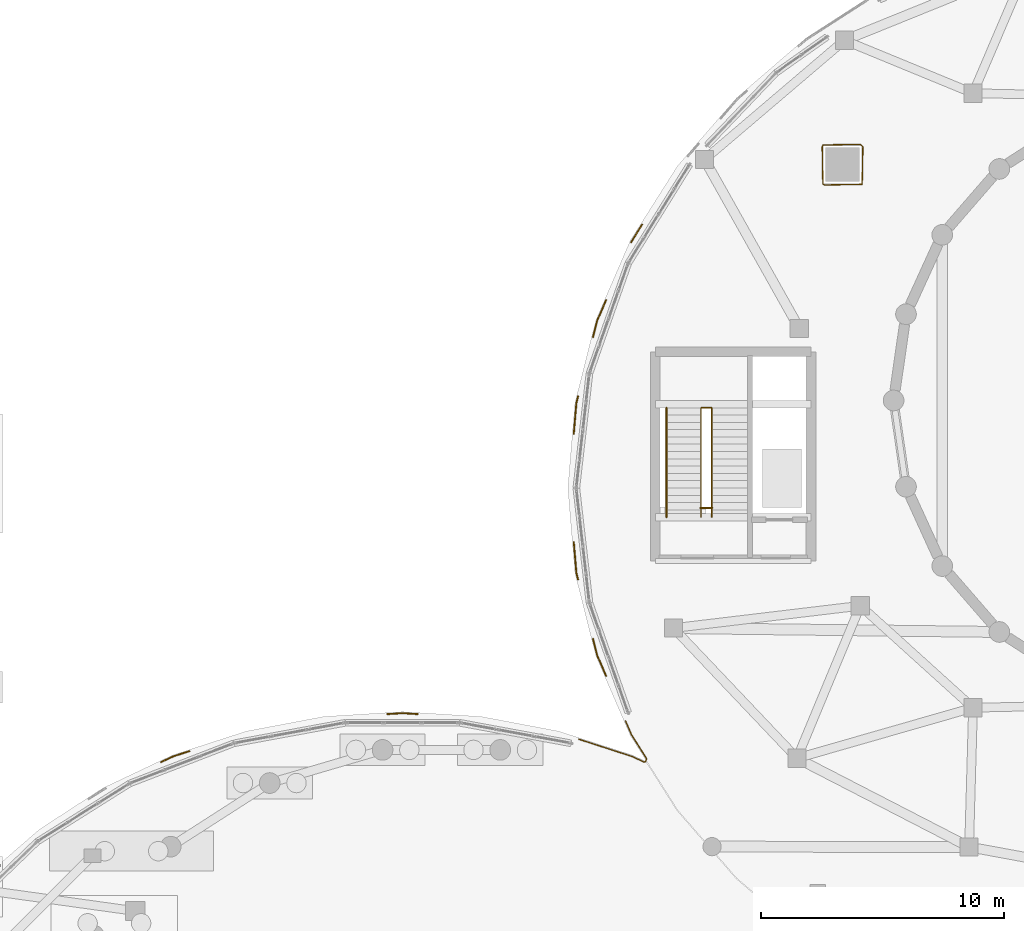
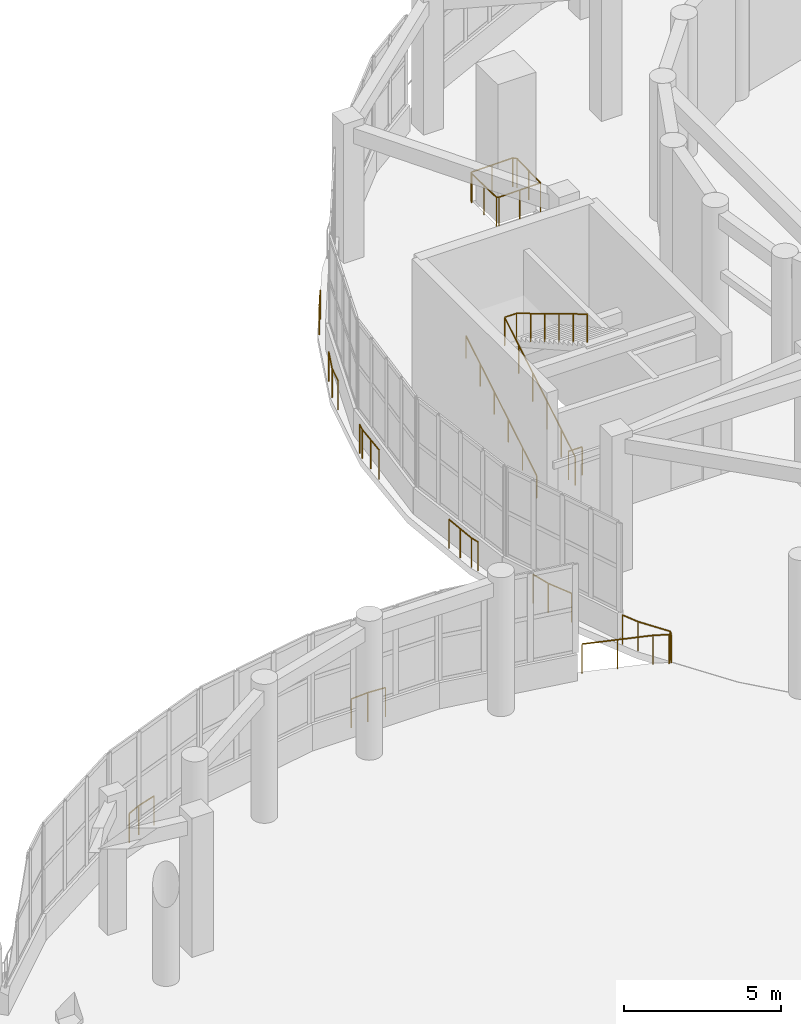
# One storey, part 89 of 96: 13 railings.
"""IFC4 building model written with IfcOpenShell, lengths in metres."""

from ifc_helpers import new_model, si_unit, direction, frame, origin, origin_2d, place, context, subcontext, project, spatial, circle, extrude, material, type_object, element, save


model = new_model("IFC4")

# Units and contexts
model_context = context("Model", 3, precision=1e-05, world=origin(), true_north=direction((0.0, 1.0)))
body_context = subcontext(model_context, "Body", "Model", "MODEL_VIEW")
ifc_project = project(units=[si_unit("LENGTHUNIT", "METRE"), si_unit("AREAUNIT", "SQUARE_METRE"), si_unit("VOLUMEUNIT", "CUBIC_METRE"), si_unit("PLANEANGLEUNIT", "RADIAN"), si_unit("MASSUNIT", "GRAM", prefix="KILO")], contexts=[model_context])

# Site, building, storey
site_placement = place(None, origin())
site = spatial("IfcSite", under=ifc_project, at=site_placement, CompositionType="ELEMENT")
building_placement = place(site_placement, origin())
building = spatial("IfcBuilding", under=site, at=building_placement, Name="Pelvatis Terrace Science Centre", CompositionType="ELEMENT")
storey_placement = place(building_placement, origin())
storey = spatial("IfcBuildingStorey", under=building, at=storey_placement, Name="L00", CompositionType="ELEMENT", Elevation=0.0)

# Railings
ifc_material_1 = material(Name="Bronze-anodised aluminium and laminated safety glass balustrade", Category="aluminium")
railing_type_1 = type_object("IfcRailingType", Name="RLG-BAL-1150", PredefinedType="BALUSTRADE", material=ifc_material_1)
railing_1_placement = place(storey_placement, frame((66.469970703125, 70.927001953125, 0.0)))
element("IfcRailing", 1, at=railing_1_placement, inside=storey, type_object=railing_type_1, Name="Perimeter edge balustrade RLG-EDG-L00-018", PredefinedType="BALUSTRADE", context=body_context, shape_type="SweptSolid", body=[
    extrude(circle(Radius=0.02392578125, at=origin_2d()), frame((0.0, 0.0, 1.1259765625), z_axis=(0.903681759755, 0.428204713993, 0.0), x_axis=(-0.428204713993, 0.903681759755, 0.0)), (0.0, 0.0, 1.0), 0.531982421875),
    extrude(circle(Radius=0.02392578125, at=origin_2d()), frame((0.480712890625, 0.227783203125, 1.1259765625), z_axis=(0.951348541055, 0.308116785379, 0.0), x_axis=(-0.308116785379, 0.951348541055, 0.0)), (0.0, 0.0, 1.0), 0.723388671875),
    extrude(circle(Radius=0.02099609375, at=origin_2d()), origin(), (0.0, 0.0, 1.0), 1.101806640625),
    extrude(circle(Radius=0.02099609375, at=origin_2d()), frame((0.480712890625, 0.227783203125, 0.0)), (0.0, 0.0, 1.0), 1.101806640625),
    extrude(circle(Radius=0.02099609375, at=origin_2d()), frame((1.1689453125, 0.45068359375, 0.0)), (0.0, 0.0, 1.0), 1.101806640625),
])
railing_2_placement = place(storey_placement, frame((75.773681640625, 72.90087890625, 0.0)))
element("IfcRailing", 2, at=railing_2_placement, inside=storey, type_object=railing_type_1, Name="Perimeter edge balustrade RLG-EDG-L00-019", PredefinedType="BALUSTRADE", context=body_context, shape_type="SweptSolid", body=[
    extrude(circle(Radius=0.02392578125, at=origin_2d()), frame((0.0, 0.0, 1.1259765625), z_axis=(0.998060141314, 0.062257162811, 0.0), x_axis=(-0.062257162811, 0.998060141314, 0.0)), (0.0, 0.0, 1.0), 0.62744140625),
    extrude(circle(Radius=0.02392578125, at=origin_2d()), frame((0.626220703125, 0.0390625, 1.1259765625), z_axis=(0.998060141314, -0.062257162811, 0.0), x_axis=(0.062257162811, 0.998060141314, 0.0)), (0.0, 0.0, 1.0), 0.62744140625),
    extrude(circle(Radius=0.02099609375, at=origin_2d()), origin(), (0.0, 0.0, 1.0), 1.101806640625),
    extrude(circle(Radius=0.02099609375, at=origin_2d()), frame((0.626220703125, 0.0390625, 0.0)), (0.0, 0.0, 1.0), 1.101806640625),
    extrude(circle(Radius=0.02099609375, at=origin_2d()), frame((1.25244140625, 0.0, 0.0)), (0.0, 0.0, 1.0), 1.101806640625),
])
railing_3_placement = place(storey_placement, frame((83.652587890625, 71.866455078125, 0.0)))
element("IfcRailing", 3, at=railing_3_placement, inside=storey, type_object=railing_type_1, Name="Perimeter edge balustrade RLG-EDG-L00-020", PredefinedType="BALUSTRADE", context=body_context, shape_type="SweptSolid", body=[
    extrude(circle(Radius=0.02392578125, at=origin_2d()), frame((0.0, 0.0, 1.1259765625), z_axis=(0.951324231101, -0.308191835259, 0.0), x_axis=(0.308191835259, 0.951324231101, 0.0)), (0.0, 0.0, 1.0), 2.30908203125),
    extrude(circle(Radius=0.02392578125, at=origin_2d()), frame((2.19677734375, -0.711669921875, 1.1259765625), z_axis=(0.904304352259, -0.426888320858, 0.0), x_axis=(0.426888320858, 0.904304352259, 0.0)), (0.0, 0.0, 1.0), 0.51708984375),
    extrude(circle(Radius=0.02392578125, at=origin_2d()), frame((2.664306640625, -0.932373046875, 1.1259765625), z_axis=(0.99661090751, 0.082259947921, 0.0), x_axis=(-0.082259947921, 0.99661090751, 0.0)), (0.0, 0.0, 1.0), 0.0771484375),
    extrude(circle(Radius=0.02392578125, at=origin_2d()), frame((2.7412109375, -0.926025390625, 1.1259765625), z_axis=(0.323105286316, 0.946363024402, 0.0), x_axis=(-0.946363024402, 0.323105286316, 0.0)), (0.0, 0.0, 1.0), 0.13818359375),
    extrude(circle(Radius=0.02392578125, at=origin_2d()), frame((2.785888671875, -0.795166015625, 1.1259765625), z_axis=(-0.53434982401, 0.845263429696, 0.0), x_axis=(-0.845263429696, -0.53434982401, 0.0)), (0.0, 0.0, 1.0), 1.158203125),
    extrude(circle(Radius=0.02392578125, at=origin_2d()), frame((2.1669921875, 0.183837890625, 1.1259765625), z_axis=(-0.396534170219, 0.918019962664, 0.0), x_axis=(-0.918019962664, -0.396534170219, 0.0)), (0.0, 0.0, 1.0), 0.619384765625),
    extrude(circle(Radius=0.02099609375, at=origin_2d()), origin(), (0.0, 0.0, 1.0), 1.101806640625),
    extrude(circle(Radius=0.02099609375, at=origin_2d()), frame((1.098388671875, -0.35595703125, 0.0)), (0.0, 0.0, 1.0), 1.101806640625),
    extrude(circle(Radius=0.02099609375, at=origin_2d()), frame((2.19677734375, -0.711669921875, 0.0)), (0.0, 0.0, 1.0), 1.101806640625),
    extrude(circle(Radius=0.02099609375, at=origin_2d()), frame((2.664306640625, -0.932373046875, 0.0)), (0.0, 0.0, 1.0), 1.101806640625),
    extrude(circle(Radius=0.02099609375, at=origin_2d()), frame((2.7412109375, -0.926025390625, 0.0)), (0.0, 0.0, 1.0), 1.101806640625),
    extrude(circle(Radius=0.02099609375, at=origin_2d()), frame((2.785888671875, -0.795166015625, 0.0)), (0.0, 0.0, 1.0), 1.101806640625),
    extrude(circle(Radius=0.02099609375, at=origin_2d()), frame((2.1669921875, 0.183837890625, 0.0)), (0.0, 0.0, 1.0), 1.101806640625),
    extrude(circle(Radius=0.02099609375, at=origin_2d()), frame((1.92138671875, 0.75244140625, 0.0)), (0.0, 0.0, 1.0), 1.101806640625),
])
railing_4_placement = place(storey_placement, frame((84.773193359375, 74.470947265625, 0.0)))
element("IfcRailing", 4, at=railing_4_placement, inside=storey, type_object=railing_type_1, Name="Perimeter edge balustrade RLG-EDG-L00-021", PredefinedType="BALUSTRADE", context=body_context, shape_type="SweptSolid", body=[
    extrude(circle(Radius=0.02392578125, at=origin_2d()), frame((0.0, 0.0, 1.1259765625), z_axis=(-0.396826705652, 0.917893548121, 0.0), x_axis=(-0.917893548121, -0.396826705652, 0.0)), (0.0, 0.0, 1.0), 0.921630859375),
    extrude(circle(Radius=0.02392578125, at=origin_2d()), frame((-0.36572265625, 0.845947265625, 1.1259765625), z_axis=(-0.244430290099, 0.969666867167, 0.0), x_axis=(-0.969666867167, -0.244430290099, 0.0)), (0.0, 0.0, 1.0), 0.697265625),
    extrude(circle(Radius=0.02099609375, at=origin_2d()), origin(), (0.0, 0.0, 1.0), 1.101806640625),
    extrude(circle(Radius=0.02099609375, at=origin_2d()), frame((-0.36572265625, 0.845947265625, 0.0)), (0.0, 0.0, 1.0), 1.101806640625),
    extrude(circle(Radius=0.02099609375, at=origin_2d()), frame((-0.5361328125, 1.52197265625, 0.0)), (0.0, 0.0, 1.0), 1.101806640625),
])
railing_5_placement = place(storey_placement, frame((83.62060546875, 78.43701171875, 0.0)))
element("IfcRailing", 5, at=railing_5_placement, inside=storey, type_object=railing_type_1, Name="Perimeter edge balustrade RLG-EDG-L00-022", PredefinedType="BALUSTRADE", context=body_context, shape_type="SweptSolid", body=[
    extrude(circle(Radius=0.02392578125, at=origin_2d()), frame((0.0, 0.0, 1.1259765625), z_axis=(-0.244092834043, 0.969751869485, 0.0), x_axis=(-0.969751869485, -0.244092834043, 0.0)), (0.0, 0.0, 1.0), 0.295166015625),
    extrude(circle(Radius=0.02392578125, at=origin_2d()), frame((-0.072021484375, 0.2861328125, 1.1259765625), z_axis=(-0.082740073062, 0.996571161689, 0.0), x_axis=(-0.996571161689, -0.082740073062, 0.0)), (0.0, 0.0, 1.0), 1.257080078125),
    extrude(circle(Radius=0.02099609375, at=origin_2d()), origin(), (0.0, 0.0, 1.0), 1.101806640625),
    extrude(circle(Radius=0.02099609375, at=origin_2d()), frame((-0.072021484375, 0.2861328125, 0.0)), (0.0, 0.0, 1.0), 1.101806640625),
    extrude(circle(Radius=0.02099609375, at=origin_2d()), frame((-0.1240234375, 0.91259765625, 0.0)), (0.0, 0.0, 1.0), 1.101806640625),
    extrude(circle(Radius=0.02099609375, at=origin_2d()), frame((-0.176025390625, 1.538818359375, 0.0)), (0.0, 0.0, 1.0), 1.101806640625),
])
railing_6_placement = place(storey_placement, frame((83.444580078125, 84.42431640625, 0.0)))
element("IfcRailing", 6, at=railing_6_placement, inside=storey, type_object=railing_type_1, Name="Perimeter edge balustrade RLG-EDG-L00-023", PredefinedType="BALUSTRADE", context=body_context, shape_type="SweptSolid", body=[
    extrude(circle(Radius=0.02392578125, at=origin_2d()), frame((0.0, 0.0, 1.1259765625), z_axis=(0.082756091283, 0.99656983165, 0.0), x_axis=(-0.99656983165, 0.082756091283, 0.0)), (0.0, 0.0, 1.0), 1.2568359375),
    extrude(circle(Radius=0.02392578125, at=origin_2d()), frame((0.10400390625, 1.25244140625, 1.1259765625), z_axis=(0.243897124794, 0.969801109773, 0.0), x_axis=(-0.969801109773, 0.243897124794, 0.0)), (0.0, 0.0, 1.0), 0.29541015625),
    extrude(circle(Radius=0.02099609375, at=origin_2d()), origin(), (0.0, 0.0, 1.0), 1.101806640625),
    extrude(circle(Radius=0.02099609375, at=origin_2d()), frame((0.052001953125, 0.626220703125, 0.0)), (0.0, 0.0, 1.0), 1.101806640625),
    extrude(circle(Radius=0.02099609375, at=origin_2d()), frame((0.10400390625, 1.25244140625, 0.0)), (0.0, 0.0, 1.0), 1.101806640625),
    extrude(circle(Radius=0.02099609375, at=origin_2d()), frame((0.176025390625, 1.538818359375, 0.0)), (0.0, 0.0, 1.0), 1.101806640625),
])
railing_7_placement = place(storey_placement, frame((84.237060546875, 88.4072265625, 0.0)))
element("IfcRailing", 7, at=railing_7_placement, inside=storey, type_object=railing_type_1, Name="Perimeter edge balustrade RLG-EDG-L00-024", PredefinedType="BALUSTRADE", context=body_context, shape_type="SweptSolid", body=[
    extrude(circle(Radius=0.02392578125, at=origin_2d()), frame((0.0, 0.0, 1.1259765625), z_axis=(0.244513317221, 0.969645934195, 0.0), x_axis=(-0.969645934195, 0.244513317221, 0.0)), (0.0, 0.0, 1.0), 0.697021484375),
    extrude(circle(Radius=0.02392578125, at=origin_2d()), frame((0.17041015625, 0.67578125, 1.1259765625), z_axis=(0.396826705652, 0.917893548121, 0.0), x_axis=(-0.917893548121, 0.396826705652, 0.0)), (0.0, 0.0, 1.0), 0.921630859375),
    extrude(circle(Radius=0.02099609375, at=origin_2d()), origin(), (0.0, 0.0, 1.0), 1.101806640625),
    extrude(circle(Radius=0.02099609375, at=origin_2d()), frame((0.17041015625, 0.67578125, 0.0)), (0.0, 0.0, 1.0), 1.101806640625),
    extrude(circle(Radius=0.02099609375, at=origin_2d()), frame((0.5361328125, 1.521728515625, 0.0)), (0.0, 0.0, 1.0), 1.101806640625),
])
railing_8_placement = place(storey_placement, frame((85.80078125, 92.3056640625, 0.0)))
element("IfcRailing", 8, at=railing_8_placement, inside=storey, type_object=railing_type_1, Name="Perimeter edge balustrade RLG-EDG-L00-025", PredefinedType="BALUSTRADE", context=body_context, shape_type="SweptSolid", body=[
    extrude(circle(Radius=0.02392578125, at=origin_2d()), frame((0.0, 0.0, 1.1259765625), z_axis=(0.527511829961, 0.849547685096, 0.0), x_axis=(-0.849547685096, 0.527511829961, 0.0)), (0.0, 0.0, 1.0), 0.856689453125),
    extrude(circle(Radius=0.02099609375, at=origin_2d()), origin(), (0.0, 0.0, 1.0), 1.101806640625),
    extrude(circle(Radius=0.02099609375, at=origin_2d()), frame((0.451904296875, 0.727783203125, 0.0)), (0.0, 0.0, 1.0), 1.101806640625),
])
railing_9_placement = place(storey_placement, frame((95.3349609375, 96.235107421875, 0.0)))
element("IfcRailing", 9, at=railing_9_placement, inside=storey, type_object=railing_type_1, Name="Perimeter edge balustrade RLG-EDG-L00-082", PredefinedType="BALUSTRADE", context=body_context, shape_type="SweptSolid", body=[
    extrude(circle(Radius=0.02392578125, at=origin_2d()), frame((0.0, 0.0, 1.1259765625), z_axis=(-0.69740361411, 0.716678588369, 0.0), x_axis=(-0.716678588369, -0.69740361411, 0.0)), (0.0, 0.0, 1.0), 0.139404296875),
    extrude(circle(Radius=0.02392578125, at=origin_2d()), frame((-0.09716796875, 0.099853515625, 1.1259765625), z_axis=(-0.999842712423, -0.017735569178, 0.0), x_axis=(0.017735569178, -0.999842712423, 0.0)), (0.0, 0.0, 1.0), 1.541748046875),
    extrude(circle(Radius=0.02392578125, at=origin_2d()), frame((-1.638671875, 0.072509765625, 1.1259765625), z_axis=(-0.395784388511, -0.918343463967, 0.0), x_axis=(0.918343463967, -0.395784388511, 0.0)), (0.0, 0.0, 1.0), 0.078857421875),
    extrude(circle(Radius=0.02392578125, at=origin_2d()), frame((-1.669921875, 0.0, 1.1259765625), z_axis=(0.017766511544, -0.999842163078, 0.0), x_axis=(0.999842163078, 0.017766511544, 0.0)), (0.0, 0.0, 1.0), 1.5390625),
    extrude(circle(Radius=0.02099609375, at=origin_2d()), origin(), (0.0, 0.0, 1.0), 1.101806640625),
    extrude(circle(Radius=0.02099609375, at=origin_2d()), frame((-0.09716796875, 0.099853515625, 0.0)), (0.0, 0.0, 1.0), 1.101806640625),
    extrude(circle(Radius=0.02099609375, at=origin_2d()), frame((-0.867919921875, 0.086181640625, 0.0)), (0.0, 0.0, 1.0), 1.101806640625),
    extrude(circle(Radius=0.02099609375, at=origin_2d()), frame((-1.638671875, 0.072509765625, 0.0)), (0.0, 0.0, 1.0), 1.101806640625),
    extrude(circle(Radius=0.02099609375, at=origin_2d()), frame((-1.669921875, 0.0, 0.0)), (0.0, 0.0, 1.0), 1.101806640625),
    extrude(circle(Radius=0.02099609375, at=origin_2d()), frame((-1.65625, -0.76953125, 0.0)), (0.0, 0.0, 1.0), 1.101806640625),
    extrude(circle(Radius=0.02099609375, at=origin_2d()), frame((-1.642578125, -1.538818359375, 0.0)), (0.0, 0.0, 1.0), 1.101806640625),
])
railing_10_placement = place(storey_placement, frame((93.6923828125, 94.6962890625, 0.0)))
element("IfcRailing", 10, at=railing_10_placement, inside=storey, type_object=railing_type_1, Name="Perimeter edge balustrade RLG-EDG-L00-083", PredefinedType="BALUSTRADE", context=body_context, shape_type="SweptSolid", body=[
    extrude(circle(Radius=0.02392578125, at=origin_2d()), frame((0.0, 0.0, 1.1259765625), z_axis=(0.918343463967, -0.395784388511, 0.0), x_axis=(0.395784388511, 0.918343463967, 0.0)), (0.0, 0.0, 1.0), 0.078857421875),
    extrude(circle(Radius=0.02392578125, at=origin_2d()), frame((0.072509765625, -0.03125, 1.1259765625), z_axis=(0.999842163078, 0.017766511544, 0.0), x_axis=(-0.017766511544, 0.999842163078, 0.0)), (0.0, 0.0, 1.0), 1.5390625),
    extrude(circle(Radius=0.02392578125, at=origin_2d()), frame((1.611328125, -0.00390625, 1.1259765625), z_axis=(0.020252215155, 0.999794902858, 0.0), x_axis=(-0.999794902858, 0.020252215155, 0.0)), (0.0, 0.0, 1.0), 1.54296875),
    extrude(circle(Radius=0.02099609375, at=origin_2d()), origin(), (0.0, 0.0, 1.0), 1.101806640625),
    extrude(circle(Radius=0.02099609375, at=origin_2d()), frame((0.072509765625, -0.03125, 0.0)), (0.0, 0.0, 1.0), 1.101806640625),
    extrude(circle(Radius=0.02099609375, at=origin_2d()), frame((0.841796875, -0.017578125, 0.0)), (0.0, 0.0, 1.0), 1.101806640625),
    extrude(circle(Radius=0.02099609375, at=origin_2d()), frame((1.611328125, -0.00390625, 0.0)), (0.0, 0.0, 1.0), 1.101806640625),
    extrude(circle(Radius=0.02099609375, at=origin_2d()), frame((1.626953125, 0.767578125, 0.0)), (0.0, 0.0, 1.0), 1.101806640625),
    extrude(circle(Radius=0.02099609375, at=origin_2d()), frame((1.642578125, 1.538818359375, 0.0)), (0.0, 0.0, 1.0), 1.101806640625),
])
ifc_material_2 = material(Name="Brushed architectural bronze tubular railing", Category="steel")
railing_type_2 = type_object("IfcRailingType", Name="RLG-GRD-1120", PredefinedType="GUARDRAIL", material=ifc_material_2)
railing_11_placement = place(storey_placement, frame((88.679931640625, 81.0, 0.0)))
element("IfcRailing", 11, at=railing_11_placement, inside=storey, type_object=railing_type_2, Name="Stair ST-01-L00 inner well guardrail", PredefinedType="GUARDRAIL", context=body_context, shape_type="SweptSolid", body=[
    extrude(circle(Radius=0.02392578125, at=origin_2d()), frame((0.0, 0.0, 1.09619140625), z_axis=(0.0, 0.857497030584, 0.514488913912), x_axis=(-1.0, 0.0, 0.0)), (0.0, 0.0, 1.0), 5.247802734375),
    extrude(circle(Radius=0.02392578125, at=origin_2d()), frame((0.0, 4.5, 3.7958984375), z_axis=(1.0, 0.0, 0.0), x_axis=(0.0, 1.0, 0.0)), (0.0, 0.0, 1.0), 0.440185546875),
    extrude(circle(Radius=0.02392578125, at=origin_2d()), frame((0.440185546875, 4.5, 3.7958984375), z_axis=(0.0, -0.857497030584, 0.514488913912), x_axis=(1.0, 0.0, 0.0)), (0.0, 0.0, 1.0), 5.247802734375),
    extrude(circle(Radius=0.02099609375, at=origin_2d()), origin(), (0.0, 0.0, 1.0), 1.072021484375),
    extrude(circle(Radius=0.02099609375, at=origin_2d()), frame((0.0, 0.89990234375, 0.5400390625)), (0.0, 0.0, 1.0), 1.072021484375),
    extrude(circle(Radius=0.02099609375, at=origin_2d()), frame((0.0, 1.800048828125, 1.080078125)), (0.0, 0.0, 1.0), 1.072021484375),
    extrude(circle(Radius=0.02099609375, at=origin_2d()), frame((0.0, 2.699951171875, 1.619873046875)), (0.0, 0.0, 1.0), 1.072021484375),
    extrude(circle(Radius=0.02099609375, at=origin_2d()), frame((0.0, 3.60009765625, 2.159912109375)), (0.0, 0.0, 1.0), 1.072021484375),
    extrude(circle(Radius=0.02099609375, at=origin_2d()), frame((0.0, 4.5, 2.699951171875)), (0.0, 0.0, 1.0), 1.072021484375),
    extrude(circle(Radius=0.02099609375, at=origin_2d()), frame((0.440185546875, 4.5, 2.699951171875)), (0.0, 0.0, 1.0), 1.072021484375),
    extrude(circle(Radius=0.02099609375, at=origin_2d()), frame((0.440185546875, 3.60009765625, 3.239990234375)), (0.0, 0.0, 1.0), 1.072021484375),
    extrude(circle(Radius=0.02099609375, at=origin_2d()), frame((0.440185546875, 2.699951171875, 3.780029296875)), (0.0, 0.0, 1.0), 1.072021484375),
    extrude(circle(Radius=0.02099609375, at=origin_2d()), frame((0.440185546875, 1.800048828125, 4.31982421875)), (0.0, 0.0, 1.0), 1.072021484375),
    extrude(circle(Radius=0.02099609375, at=origin_2d()), frame((0.440185546875, 0.89990234375, 4.85986328125)), (0.0, 0.0, 1.0), 1.072021484375),
    extrude(circle(Radius=0.02099609375, at=origin_2d()), frame((0.440185546875, 0.0, 5.39990234375)), (0.0, 0.0, 1.0), 1.072021484375),
])
railing_12_placement = place(storey_placement, frame((88.64990234375, 81.3798828125, 0.0)))
element("IfcRailing", 12, at=railing_12_placement, inside=storey, type_object=railing_type_2, Name="Core C1 landing well slot guard (L00)", PredefinedType="GUARDRAIL", context=body_context, shape_type="SweptSolid", body=[
    extrude(circle(Radius=0.02392578125, at=origin_2d()), frame((0.0, 0.0, 1.09619140625), z_axis=(1.0, 0.0, 0.0), x_axis=(0.0, 1.0, 0.0)), (0.0, 0.0, 1.0), 0.5),
    extrude(circle(Radius=0.02099609375, at=origin_2d()), origin(), (0.0, 0.0, 1.0), 1.072021484375),
    extrude(circle(Radius=0.02099609375, at=origin_2d()), frame((0.5, 0.0, 0.0)), (0.0, 0.0, 1.0), 1.072021484375),
])
ifc_material_3 = material(Name="Brushed architectural bronze tubular railing", Category="steel")
railing_type_3 = type_object("IfcRailingType", Name="RLG-HND-0900", PredefinedType="HANDRAIL", material=ifc_material_3)
railing_13_placement = place(storey_placement, frame((87.260009765625, 81.0, 0.0)))
element("IfcRailing", 13, at=railing_13_placement, inside=storey, type_object=railing_type_3, Name="Stair ST-01-L00 wall handrail", PredefinedType="HANDRAIL", context=body_context, shape_type="SweptSolid", body=[
    extrude(circle(Radius=0.02392578125, at=origin_2d()), frame((0.0, 0.0, 0.8759765625), z_axis=(0.0, 0.857497030584, 0.514488913912), x_axis=(-1.0, 0.0, 0.0)), (0.0, 0.0, 1.0), 5.247802734375),
    extrude(circle(Radius=0.02099609375, at=origin_2d()), origin(), (0.0, 0.0, 1.0), 0.851806640625),
    extrude(circle(Radius=0.02099609375, at=origin_2d()), frame((0.0, 0.89990234375, 0.5400390625)), (0.0, 0.0, 1.0), 0.851806640625),
    extrude(circle(Radius=0.02099609375, at=origin_2d()), frame((0.0, 1.800048828125, 1.080078125)), (0.0, 0.0, 1.0), 0.851806640625),
    extrude(circle(Radius=0.02099609375, at=origin_2d()), frame((0.0, 2.699951171875, 1.619873046875)), (0.0, 0.0, 1.0), 0.851806640625),
    extrude(circle(Radius=0.02099609375, at=origin_2d()), frame((0.0, 3.60009765625, 2.159912109375)), (0.0, 0.0, 1.0), 0.851806640625),
    extrude(circle(Radius=0.02099609375, at=origin_2d()), frame((0.0, 4.5, 2.699951171875)), (0.0, 0.0, 1.0), 0.851806640625),
])

save(model, "model.ifc")
